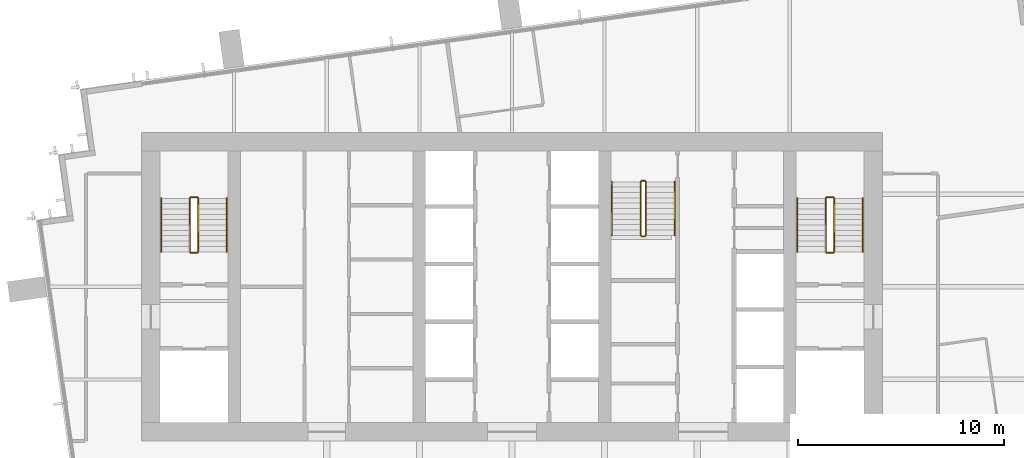
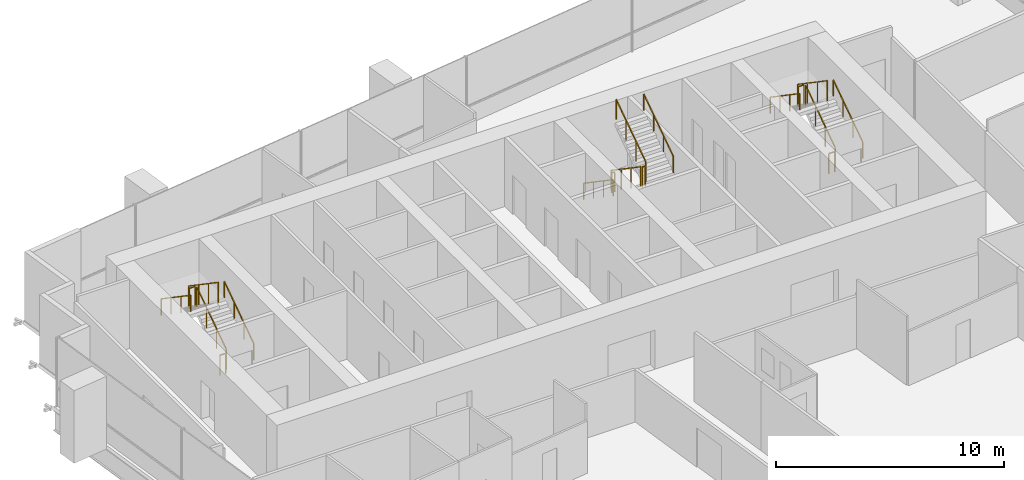
# One storey, part 14 of 14: 18 railings.
"""IFC4 building model written with IfcOpenShell, lengths in metres."""

from ifc_helpers import new_model, si_unit, direction, frame, origin, origin_2d, place, context, subcontext, project, spatial, rectangle, extrude, material, type_object, element, save


model = new_model("IFC4")

# Units and contexts
model_context = context("Model", 3, precision=1e-05, world=origin(), true_north=direction((0.0, 1.0)))
body_context = subcontext(model_context, "Body", "Model", "MODEL_VIEW")
ifc_project = project(units=[si_unit("LENGTHUNIT", "METRE"), si_unit("AREAUNIT", "SQUARE_METRE"), si_unit("VOLUMEUNIT", "CUBIC_METRE"), si_unit("PLANEANGLEUNIT", "RADIAN"), si_unit("MASSUNIT", "GRAM", prefix="KILO")], contexts=[model_context])

# Site, building, storey
site_placement = place(None, origin())
site = spatial("IfcSite", under=ifc_project, at=site_placement, CompositionType="ELEMENT")
building_placement = place(site_placement, origin())
building = spatial("IfcBuilding", under=site, at=building_placement, Name="Rattan Terrace Tower", CompositionType="ELEMENT")
storey_placement = place(building_placement, frame((0.0, 0.0, 229.10009765625)))
storey = spatial("IfcBuildingStorey", under=building, at=storey_placement, Name="L52", CompositionType="ELEMENT", Elevation=229.10009765625)

# Railings
ifc_material_1 = material(Name="Powder-coated steel guard", Category="steel")
railing_type_1 = type_object("IfcRailingType", Name="Core stair guard", PredefinedType="GUARDRAIL", material=ifc_material_1)
railing_1_placement = place(storey_placement, frame((-15.25, 1.699951171875, 0.17724609375)))
element("IfcRailing", 1, at=railing_1_placement, inside=storey, type_object=railing_type_1, Name="L52 S1 stair guard 1", PredefinedType="GUARDRAIL", context=body_context, shape_type="SweptSolid", body=[
    extrude(rectangle(XDim=0.048095703125, YDim=0.048095703125, at=origin_2d()), frame((0.0, 0.0, 1.076171875), z_axis=(0.0, 0.826240473404, 0.563317565952), x_axis=(-1.0, 0.0, 0.0)), (0.0, 0.0, 1.0), 3.14697265625),
    extrude(rectangle(XDim=0.0419921875, YDim=0.0419921875, at=origin_2d()), origin(), (0.0, 0.0, 1.0), 1.052001953125),
    extrude(rectangle(XDim=0.0419921875, YDim=0.0419921875, at=origin_2d()), frame((0.0, 0.86669921875, 0.5908203125)), (0.0, 0.0, 1.0), 1.052001953125),
    extrude(rectangle(XDim=0.0419921875, YDim=0.0419921875, at=origin_2d()), frame((0.0, 1.7333984375, 1.181884765625)), (0.0, 0.0, 1.0), 1.052001953125),
    extrude(rectangle(XDim=0.0419921875, YDim=0.0419921875, at=origin_2d()), frame((0.0, 2.60009765625, 1.772705078125)), (0.0, 0.0, 1.0), 1.052001953125),
])
railing_2_placement = place(storey_placement, frame((-15.300048828125, 4.35009765625, 1.949951171875)))
element("IfcRailing", 2, at=railing_2_placement, inside=storey, type_object=railing_type_1, Name="L52 S1 stair guard 2", PredefinedType="GUARDRAIL", context=body_context, shape_type="SweptSolid", body=[
    extrude(rectangle(XDim=0.048095703125, YDim=0.048095703125, at=origin_2d()), frame((0.0, 0.0, 1.076171875), z_axis=(-1.0, 0.0, 0.0), x_axis=(0.0, -1.0, 0.0)), (0.0, 0.0, 1.0), 0.300048828125),
    extrude(rectangle(XDim=0.0419921875, YDim=0.0419921875, at=origin_2d()), origin(), (0.0, 0.0, 1.0), 1.052001953125),
    extrude(rectangle(XDim=0.0419921875, YDim=0.0419921875, at=origin_2d()), frame((-0.300048828125, 0.0, 0.0)), (0.0, 0.0, 1.0), 1.052001953125),
])
railing_3_placement = place(storey_placement, frame((-15.64990234375, 4.300048828125, 2.127197265625)))
element("IfcRailing", 3, at=railing_3_placement, inside=storey, type_object=railing_type_1, Name="L52 S1 stair guard 3", PredefinedType="GUARDRAIL", context=body_context, shape_type="SweptSolid", body=[
    extrude(rectangle(XDim=0.048095703125, YDim=0.048095703125, at=origin_2d()), frame((0.0, 0.0, 1.076171875), z_axis=(0.0, -0.826240473404, 0.563317565952), x_axis=(1.0, 0.0, 0.0)), (0.0, 0.0, 1.0), 3.14697265625),
    extrude(rectangle(XDim=0.0419921875, YDim=0.0419921875, at=origin_2d()), origin(), (0.0, 0.0, 1.0), 1.052001953125),
    extrude(rectangle(XDim=0.0419921875, YDim=0.0419921875, at=origin_2d()), frame((0.0, -0.86669921875, 0.5908203125)), (0.0, 0.0, 1.0), 1.052001953125),
    extrude(rectangle(XDim=0.0419921875, YDim=0.0419921875, at=origin_2d()), frame((0.0, -1.7333984375, 1.181884765625)), (0.0, 0.0, 1.0), 1.052001953125),
    extrude(rectangle(XDim=0.0419921875, YDim=0.0419921875, at=origin_2d()), frame((0.0, -2.60009765625, 1.772705078125)), (0.0, 0.0, 1.0), 1.052001953125),
])
railing_4_placement = place(storey_placement, frame((-15.300048828125, 1.64990234375, 0.0)))
element("IfcRailing", 4, at=railing_4_placement, inside=storey, type_object=railing_type_1, Name="L52 S1 stair guard 4", PredefinedType="GUARDRAIL", context=body_context, shape_type="SweptSolid", body=[
    extrude(rectangle(XDim=0.048095703125, YDim=0.048095703125, at=origin_2d()), frame((0.0, 0.0, 1.076171875), z_axis=(-1.0, 0.0, 0.0), x_axis=(0.0, -1.0, 0.0)), (0.0, 0.0, 1.0), 0.300048828125),
    extrude(rectangle(XDim=0.0419921875, YDim=0.0419921875, at=origin_2d()), origin(), (0.0, 0.0, 1.0), 1.052001953125),
    extrude(rectangle(XDim=0.0419921875, YDim=0.0419921875, at=origin_2d()), frame((-0.300048828125, 0.0, 0.0)), (0.0, 0.0, 1.0), 1.052001953125),
])
railing_5_placement = place(storey_placement, frame((15.64990234375, 1.699951171875, 0.17724609375)))
element("IfcRailing", 5, at=railing_5_placement, inside=storey, type_object=railing_type_1, Name="L52 S2 stair guard 1", PredefinedType="GUARDRAIL", context=body_context, shape_type="SweptSolid", body=[
    extrude(rectangle(XDim=0.048095703125, YDim=0.048095703125, at=origin_2d()), frame((0.0, 0.0, 1.076171875), z_axis=(0.0, 0.826240473404, 0.563317565952), x_axis=(-1.0, 0.0, 0.0)), (0.0, 0.0, 1.0), 3.14697265625),
    extrude(rectangle(XDim=0.0419921875, YDim=0.0419921875, at=origin_2d()), origin(), (0.0, 0.0, 1.0), 1.052001953125),
    extrude(rectangle(XDim=0.0419921875, YDim=0.0419921875, at=origin_2d()), frame((0.0, 0.86669921875, 0.5908203125)), (0.0, 0.0, 1.0), 1.052001953125),
    extrude(rectangle(XDim=0.0419921875, YDim=0.0419921875, at=origin_2d()), frame((0.0, 1.7333984375, 1.181884765625)), (0.0, 0.0, 1.0), 1.052001953125),
    extrude(rectangle(XDim=0.0419921875, YDim=0.0419921875, at=origin_2d()), frame((0.0, 2.60009765625, 1.772705078125)), (0.0, 0.0, 1.0), 1.052001953125),
])
railing_6_placement = place(storey_placement, frame((15.60009765625, 4.35009765625, 1.949951171875)))
element("IfcRailing", 6, at=railing_6_placement, inside=storey, type_object=railing_type_1, Name="L52 S2 stair guard 2", PredefinedType="GUARDRAIL", context=body_context, shape_type="SweptSolid", body=[
    extrude(rectangle(XDim=0.048095703125, YDim=0.048095703125, at=origin_2d()), frame((0.0, 0.0, 1.076171875), z_axis=(-1.0, 0.0, 0.0), x_axis=(0.0, -1.0, 0.0)), (0.0, 0.0, 1.0), 0.300048828125),
    extrude(rectangle(XDim=0.0419921875, YDim=0.0419921875, at=origin_2d()), origin(), (0.0, 0.0, 1.0), 1.052001953125),
    extrude(rectangle(XDim=0.0419921875, YDim=0.0419921875, at=origin_2d()), frame((-0.300048828125, 0.0, 0.0)), (0.0, 0.0, 1.0), 1.052001953125),
])
railing_7_placement = place(storey_placement, frame((15.25, 4.300048828125, 2.127197265625)))
element("IfcRailing", 7, at=railing_7_placement, inside=storey, type_object=railing_type_1, Name="L52 S2 stair guard 3", PredefinedType="GUARDRAIL", context=body_context, shape_type="SweptSolid", body=[
    extrude(rectangle(XDim=0.048095703125, YDim=0.048095703125, at=origin_2d()), frame((0.0, 0.0, 1.076171875), z_axis=(0.0, -0.826240473404, 0.563317565952), x_axis=(1.0, 0.0, 0.0)), (0.0, 0.0, 1.0), 3.14697265625),
    extrude(rectangle(XDim=0.0419921875, YDim=0.0419921875, at=origin_2d()), origin(), (0.0, 0.0, 1.0), 1.052001953125),
    extrude(rectangle(XDim=0.0419921875, YDim=0.0419921875, at=origin_2d()), frame((0.0, -0.86669921875, 0.5908203125)), (0.0, 0.0, 1.0), 1.052001953125),
    extrude(rectangle(XDim=0.0419921875, YDim=0.0419921875, at=origin_2d()), frame((0.0, -1.7333984375, 1.181884765625)), (0.0, 0.0, 1.0), 1.052001953125),
    extrude(rectangle(XDim=0.0419921875, YDim=0.0419921875, at=origin_2d()), frame((0.0, -2.60009765625, 1.772705078125)), (0.0, 0.0, 1.0), 1.052001953125),
])
railing_8_placement = place(storey_placement, frame((15.60009765625, 1.64990234375, 0.0)))
element("IfcRailing", 8, at=railing_8_placement, inside=storey, type_object=railing_type_1, Name="L52 S2 stair guard 4", PredefinedType="GUARDRAIL", context=body_context, shape_type="SweptSolid", body=[
    extrude(rectangle(XDim=0.048095703125, YDim=0.048095703125, at=origin_2d()), frame((0.0, 0.0, 1.076171875), z_axis=(-1.0, 0.0, 0.0), x_axis=(0.0, -1.0, 0.0)), (0.0, 0.0, 1.0), 0.300048828125),
    extrude(rectangle(XDim=0.0419921875, YDim=0.0419921875, at=origin_2d()), origin(), (0.0, 0.0, 1.0), 1.052001953125),
    extrude(rectangle(XDim=0.0419921875, YDim=0.0419921875, at=origin_2d()), frame((-0.300048828125, 0.0, 0.0)), (0.0, 0.0, 1.0), 1.052001953125),
])
railing_9_placement = place(storey_placement, frame((6.25, 5.10009765625, 0.17724609375)))
element("IfcRailing", 9, at=railing_9_placement, inside=storey, type_object=railing_type_1, Name="L52 S3 stair guard 1", PredefinedType="GUARDRAIL", context=body_context, shape_type="SweptSolid", body=[
    extrude(rectangle(XDim=0.048095703125, YDim=0.048095703125, at=origin_2d()), frame((0.0, 0.0, 1.076171875), z_axis=(0.0, -0.826240473404, 0.563317565952), x_axis=(1.0, 0.0, 0.0)), (0.0, 0.0, 1.0), 3.14697265625),
    extrude(rectangle(XDim=0.0419921875, YDim=0.0419921875, at=origin_2d()), origin(), (0.0, 0.0, 1.0), 1.052001953125),
    extrude(rectangle(XDim=0.0419921875, YDim=0.0419921875, at=origin_2d()), frame((0.0, -0.86669921875, 0.5908203125)), (0.0, 0.0, 1.0), 1.052001953125),
    extrude(rectangle(XDim=0.0419921875, YDim=0.0419921875, at=origin_2d()), frame((0.0, -1.7333984375, 1.181884765625)), (0.0, 0.0, 1.0), 1.052001953125),
    extrude(rectangle(XDim=0.0419921875, YDim=0.0419921875, at=origin_2d()), frame((0.0, -2.60009765625, 1.772705078125)), (0.0, 0.0, 1.0), 1.052001953125),
])
railing_10_placement = place(storey_placement, frame((6.300048828125, 2.449951171875, 1.949951171875)))
element("IfcRailing", 10, at=railing_10_placement, inside=storey, type_object=railing_type_1, Name="L52 S3 stair guard 2", PredefinedType="GUARDRAIL", context=body_context, shape_type="SweptSolid", body=[
    extrude(rectangle(XDim=0.048095703125, YDim=0.048095703125, at=origin_2d()), frame((0.0, 0.0, 1.076171875), z_axis=(1.0, 0.0, 0.0), x_axis=(0.0, 1.0, 0.0)), (0.0, 0.0, 1.0), 0.14990234375),
    extrude(rectangle(XDim=0.0419921875, YDim=0.0419921875, at=origin_2d()), origin(), (0.0, 0.0, 1.0), 1.052001953125),
    extrude(rectangle(XDim=0.0419921875, YDim=0.0419921875, at=origin_2d()), frame((0.14990234375, 0.0, 0.0)), (0.0, 0.0, 1.0), 1.052001953125),
])
railing_11_placement = place(storey_placement, frame((6.5, 2.5, 2.127197265625)))
element("IfcRailing", 11, at=railing_11_placement, inside=storey, type_object=railing_type_1, Name="L52 S3 stair guard 3", PredefinedType="GUARDRAIL", context=body_context, shape_type="SweptSolid", body=[
    extrude(rectangle(XDim=0.048095703125, YDim=0.048095703125, at=origin_2d()), frame((0.0, 0.0, 1.076171875), z_axis=(0.0, 0.826240473404, 0.563317565952), x_axis=(-1.0, 0.0, 0.0)), (0.0, 0.0, 1.0), 3.14697265625),
    extrude(rectangle(XDim=0.0419921875, YDim=0.0419921875, at=origin_2d()), origin(), (0.0, 0.0, 1.0), 1.052001953125),
    extrude(rectangle(XDim=0.0419921875, YDim=0.0419921875, at=origin_2d()), frame((0.0, 0.86669921875, 0.5908203125)), (0.0, 0.0, 1.0), 1.052001953125),
    extrude(rectangle(XDim=0.0419921875, YDim=0.0419921875, at=origin_2d()), frame((0.0, 1.7333984375, 1.181884765625)), (0.0, 0.0, 1.0), 1.052001953125),
    extrude(rectangle(XDim=0.0419921875, YDim=0.0419921875, at=origin_2d()), frame((0.0, 2.60009765625, 1.772705078125)), (0.0, 0.0, 1.0), 1.052001953125),
])
railing_12_placement = place(storey_placement, frame((6.300048828125, 5.14990234375, 0.0)))
element("IfcRailing", 12, at=railing_12_placement, inside=storey, type_object=railing_type_1, Name="L52 S3 stair guard 4", PredefinedType="GUARDRAIL", context=body_context, shape_type="SweptSolid", body=[
    extrude(rectangle(XDim=0.048095703125, YDim=0.048095703125, at=origin_2d()), frame((0.0, 0.0, 1.076171875), z_axis=(1.0, 0.0, 0.0), x_axis=(0.0, 1.0, 0.0)), (0.0, 0.0, 1.0), 0.14990234375),
    extrude(rectangle(XDim=0.0419921875, YDim=0.0419921875, at=origin_2d()), origin(), (0.0, 0.0, 1.0), 1.052001953125),
    extrude(rectangle(XDim=0.0419921875, YDim=0.0419921875, at=origin_2d()), frame((0.14990234375, 0.0, 0.0)), (0.0, 0.0, 1.0), 1.052001953125),
])
ifc_material_2 = material(Name="Powder-coated steel handrail", Category="steel")
railing_type_2 = type_object("IfcRailingType", Name="Core stair handrail", PredefinedType="HANDRAIL", material=ifc_material_2)
railing_13_placement = place(storey_placement, frame((-13.85009765625, 1.699951171875, 0.17724609375)))
element("IfcRailing", 13, at=railing_13_placement, inside=storey, type_object=railing_type_2, Name="L52 S1 stair handrail 1", PredefinedType="HANDRAIL", context=body_context, shape_type="SweptSolid", body=[
    extrude(rectangle(XDim=0.048095703125, YDim=0.048095703125, at=origin_2d()), frame((0.0, 0.0, 0.8759765625), z_axis=(0.0, 0.826240473404, 0.563317565952), x_axis=(-1.0, 0.0, 0.0)), (0.0, 0.0, 1.0), 3.14697265625),
    extrude(rectangle(XDim=0.0419921875, YDim=0.0419921875, at=origin_2d()), origin(), (0.0, 0.0, 1.0), 0.851806640625),
    extrude(rectangle(XDim=0.0419921875, YDim=0.0419921875, at=origin_2d()), frame((0.0, 0.86669921875, 0.5908203125)), (0.0, 0.0, 1.0), 0.851806640625),
    extrude(rectangle(XDim=0.0419921875, YDim=0.0419921875, at=origin_2d()), frame((0.0, 1.7333984375, 1.181884765625)), (0.0, 0.0, 1.0), 0.851806640625),
    extrude(rectangle(XDim=0.0419921875, YDim=0.0419921875, at=origin_2d()), frame((0.0, 2.60009765625, 1.772705078125)), (0.0, 0.0, 1.0), 0.851806640625),
])
railing_14_placement = place(storey_placement, frame((-17.050048828125, 4.300048828125, 2.127197265625)))
element("IfcRailing", 14, at=railing_14_placement, inside=storey, type_object=railing_type_2, Name="L52 S1 stair handrail 2", PredefinedType="HANDRAIL", context=body_context, shape_type="SweptSolid", body=[
    extrude(rectangle(XDim=0.048095703125, YDim=0.048095703125, at=origin_2d()), frame((0.0, 0.0, 0.8759765625), z_axis=(0.0, -0.826240473404, 0.563317565952), x_axis=(1.0, 0.0, 0.0)), (0.0, 0.0, 1.0), 3.14697265625),
    extrude(rectangle(XDim=0.0419921875, YDim=0.0419921875, at=origin_2d()), origin(), (0.0, 0.0, 1.0), 0.851806640625),
    extrude(rectangle(XDim=0.0419921875, YDim=0.0419921875, at=origin_2d()), frame((0.0, -0.86669921875, 0.5908203125)), (0.0, 0.0, 1.0), 0.851806640625),
    extrude(rectangle(XDim=0.0419921875, YDim=0.0419921875, at=origin_2d()), frame((0.0, -1.7333984375, 1.181884765625)), (0.0, 0.0, 1.0), 0.851806640625),
    extrude(rectangle(XDim=0.0419921875, YDim=0.0419921875, at=origin_2d()), frame((0.0, -2.60009765625, 1.772705078125)), (0.0, 0.0, 1.0), 0.851806640625),
])
railing_15_placement = place(storey_placement, frame((17.050048828125, 1.699951171875, 0.17724609375)))
element("IfcRailing", 15, at=railing_15_placement, inside=storey, type_object=railing_type_2, Name="L52 S2 stair handrail 1", PredefinedType="HANDRAIL", context=body_context, shape_type="SweptSolid", body=[
    extrude(rectangle(XDim=0.048095703125, YDim=0.048095703125, at=origin_2d()), frame((0.0, 0.0, 0.8759765625), z_axis=(0.0, 0.826240473404, 0.563317565952), x_axis=(-1.0, 0.0, 0.0)), (0.0, 0.0, 1.0), 3.14697265625),
    extrude(rectangle(XDim=0.0419921875, YDim=0.0419921875, at=origin_2d()), origin(), (0.0, 0.0, 1.0), 0.851806640625),
    extrude(rectangle(XDim=0.0419921875, YDim=0.0419921875, at=origin_2d()), frame((0.0, 0.86669921875, 0.5908203125)), (0.0, 0.0, 1.0), 0.851806640625),
    extrude(rectangle(XDim=0.0419921875, YDim=0.0419921875, at=origin_2d()), frame((0.0, 1.7333984375, 1.181884765625)), (0.0, 0.0, 1.0), 0.851806640625),
    extrude(rectangle(XDim=0.0419921875, YDim=0.0419921875, at=origin_2d()), frame((0.0, 2.60009765625, 1.772705078125)), (0.0, 0.0, 1.0), 0.851806640625),
])
for number, where, name in (
    (16, (13.85009765625, 4.300048828125, 2.127197265625), "L52 S2 stair handrail 2"),
    (17, (4.85009765625, 5.10009765625, 0.17724609375), "L52 S3 stair handrail 1"),
):
    element("IfcRailing", number, at=place(storey_placement, frame(where)), inside=storey, type_object=railing_type_2, Name=name, PredefinedType="HANDRAIL", context=body_context, shape_type="SweptSolid", body=[
        extrude(rectangle(XDim=0.048095703125, YDim=0.048095703125, at=origin_2d()), frame((0.0, 0.0, 0.8759765625), z_axis=(0.0, -0.826240473404, 0.563317565952), x_axis=(1.0, 0.0, 0.0)), (0.0, 0.0, 1.0), 3.14697265625),
        extrude(rectangle(XDim=0.0419921875, YDim=0.0419921875, at=origin_2d()), origin(), (0.0, 0.0, 1.0), 0.851806640625),
        extrude(rectangle(XDim=0.0419921875, YDim=0.0419921875, at=origin_2d()), frame((0.0, -0.86669921875, 0.5908203125)), (0.0, 0.0, 1.0), 0.851806640625),
        extrude(rectangle(XDim=0.0419921875, YDim=0.0419921875, at=origin_2d()), frame((0.0, -1.7333984375, 1.181884765625)), (0.0, 0.0, 1.0), 0.851806640625),
        extrude(rectangle(XDim=0.0419921875, YDim=0.0419921875, at=origin_2d()), frame((0.0, -2.60009765625, 1.772705078125)), (0.0, 0.0, 1.0), 0.851806640625),
    ])
railing_16_placement = place(storey_placement, frame((7.89990234375, 2.5, 2.127197265625)))
element("IfcRailing", 18, at=railing_16_placement, inside=storey, type_object=railing_type_2, Name="L52 S3 stair handrail 2", PredefinedType="HANDRAIL", context=body_context, shape_type="SweptSolid", body=[
    extrude(rectangle(XDim=0.048095703125, YDim=0.048095703125, at=origin_2d()), frame((0.0, 0.0, 0.8759765625), z_axis=(0.0, 0.826240473404, 0.563317565952), x_axis=(-1.0, 0.0, 0.0)), (0.0, 0.0, 1.0), 3.14697265625),
    extrude(rectangle(XDim=0.0419921875, YDim=0.0419921875, at=origin_2d()), origin(), (0.0, 0.0, 1.0), 0.851806640625),
    extrude(rectangle(XDim=0.0419921875, YDim=0.0419921875, at=origin_2d()), frame((0.0, 0.86669921875, 0.5908203125)), (0.0, 0.0, 1.0), 0.851806640625),
    extrude(rectangle(XDim=0.0419921875, YDim=0.0419921875, at=origin_2d()), frame((0.0, 1.7333984375, 1.181884765625)), (0.0, 0.0, 1.0), 0.851806640625),
    extrude(rectangle(XDim=0.0419921875, YDim=0.0419921875, at=origin_2d()), frame((0.0, 2.60009765625, 1.772705078125)), (0.0, 0.0, 1.0), 0.851806640625),
])

save(model, "model.ifc")
